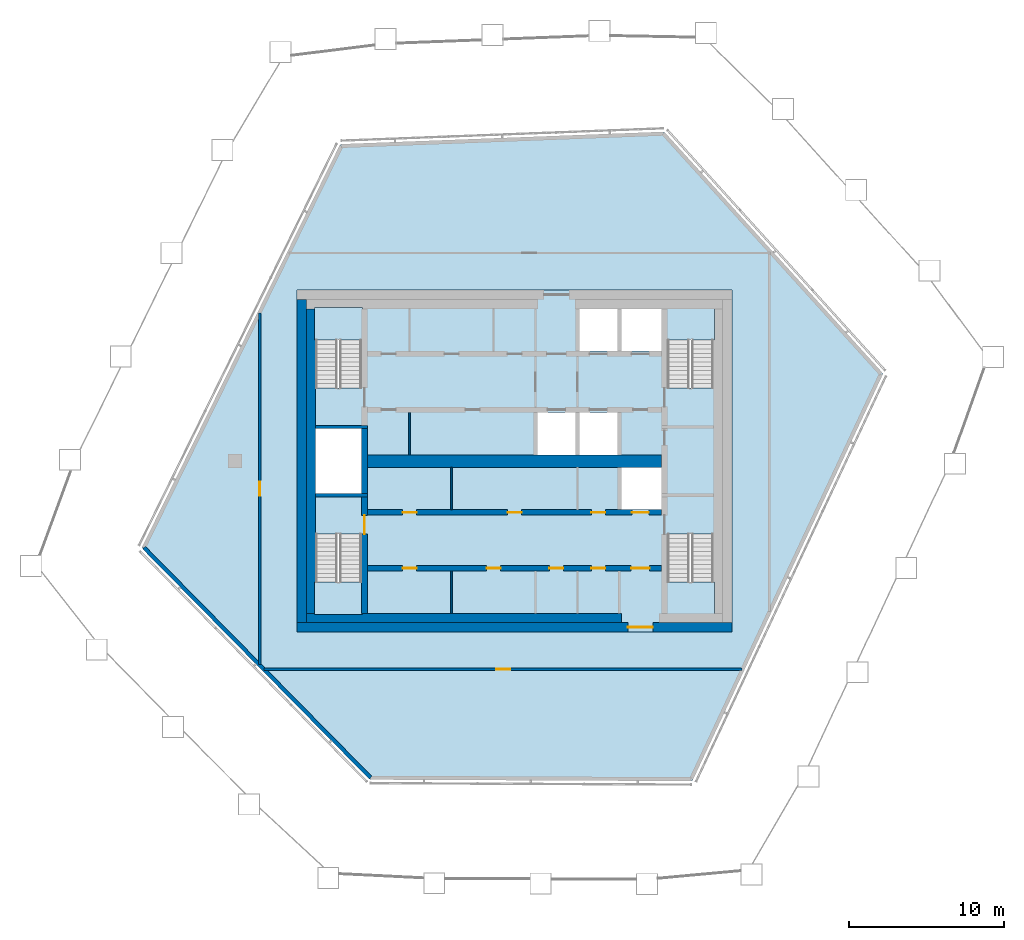
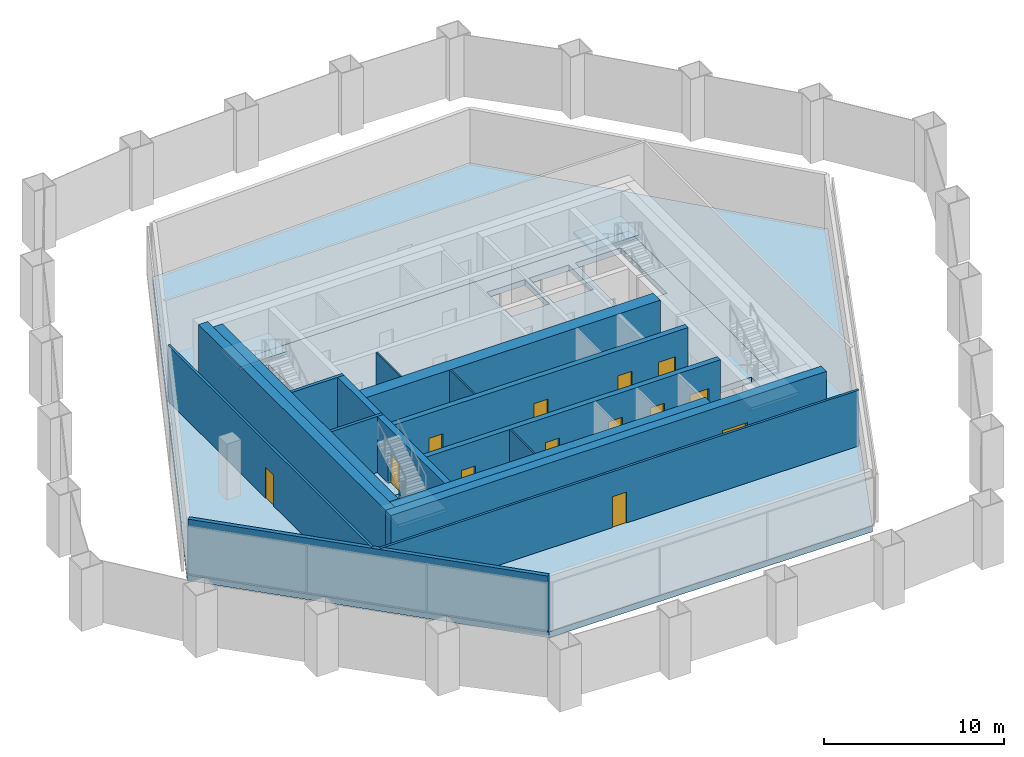
# One storey, part 7 of 18: 17 walls, 13 doors, 6 slabs, 13 openings, 4 elements without a shape of their own.
"""IFC4 building model written with IfcOpenShell, lengths in metres."""

from ifc_helpers import new_model, si_unit, direction, frame, frame_2d, origin, place, context, subcontext, project, spatial, polyline, rectangle, outline, extrude, material, layer, layer_set, type_object, element, fill, aggregate, save


model = new_model("IFC4")

# Units and contexts
model_context = context("Model", 3, precision=1e-05, world=origin(), true_north=direction((0.0, 1.0)))
body_context = subcontext(model_context, "Body", "Model", "MODEL_VIEW")
ifc_project = project(units=[si_unit("LENGTHUNIT", "METRE"), si_unit("AREAUNIT", "SQUARE_METRE"), si_unit("VOLUMEUNIT", "CUBIC_METRE"), si_unit("PLANEANGLEUNIT", "RADIAN"), si_unit("MASSUNIT", "GRAM", prefix="KILO")], contexts=[model_context])

# Site, building, storey
site_placement = place(None, origin())
site = spatial("IfcSite", under=ifc_project, at=site_placement, CompositionType="ELEMENT")
building_placement = place(site_placement, origin())
building = spatial("IfcBuilding", under=site, at=building_placement, Name="Dongbaek Canopy Tower", CompositionType="ELEMENT")
storey_placement = place(building_placement, frame((0.0, 0.0, 363.199951171875)))
storey = spatial("IfcBuildingStorey", under=building, at=storey_placement, Name="L78", CompositionType="ELEMENT", Elevation=363.199951171875)

# Slab
ifc_material_1 = material(Name="Concrete C40/50", Category="concrete")
ifc_layer_1 = layer(ifc_material_1, 0.39990234375)
ifc_layer_set_1 = layer_set([ifc_layer_1], Name="Core floor slab 400 Concrete C40/50")
slab_type_1 = type_object("IfcSlabType", Name="Core floor slab 400 Concrete C40/50", PredefinedType="FLOOR", material=ifc_layer_set_1)
slab_1_placement = place(storey_placement, frame((0.0, 0.0, -0.39990234375)))
element("IfcSlab", 1, at=slab_1_placement, inside=storey, type_object=slab_type_1, Name="Core floor slab L78", PredefinedType="FLOOR", context=body_context, shape_type="SweptSolid", body=[
    extrude(outline(polyline([(14.0, -11.0), (14.0, 11.0), (-14.0, 11.0), (-14.0, -11.0), (14.0, -11.0)]), holes=[polyline([(-12.800048828125, 2.10009765625), (-9.85009765625, 2.10009765625), (-9.85009765625, -2.10009765625), (-12.800048828125, -2.10009765625), (-12.800048828125, 2.10009765625)]), polyline([(6.625, 9.800048828125), (6.625, 7.074951171875), (4.175048828125, 7.074951171875), (4.175048828125, 9.800048828125), (6.625, 9.800048828125)]), polyline([(9.449951171875, 7.074951171875), (6.875, 7.074951171875), (6.875, 9.800048828125), (9.449951171875, 9.800048828125), (9.449951171875, 7.074951171875)]), polyline([(1.47509765625, 0.39990234375), (1.47509765625, 3.125), (3.925048828125, 3.125), (3.925048828125, 0.39990234375), (1.47509765625, 0.39990234375)]), polyline([(4.175048828125, 0.39990234375), (4.175048828125, 3.125), (6.625, 3.125), (6.625, 0.39990234375), (4.175048828125, 0.39990234375)]), polyline([(9.449951171875, -3.125), (6.875, -3.125), (6.875, -0.39990234375), (9.449951171875, -0.39990234375), (9.449951171875, -3.125)]), polyline([(12.800048828125, 4.70068359375), (12.800048828125, 9.800048828125), (9.85009765625, 9.800048828125), (9.85009765625, 4.70068359375), (12.800048828125, 4.70068359375)]), polyline([(-9.85009765625, 4.70068359375), (-9.85009765625, 9.800048828125), (-12.800048828125, 9.800048828125), (-12.800048828125, 4.70068359375), (-9.85009765625, 4.70068359375)]), polyline([(9.85009765625, -4.70068359375), (9.85009765625, -9.800048828125), (12.800048828125, -9.800048828125), (12.800048828125, -4.70068359375), (9.85009765625, -4.70068359375)]), polyline([(-12.800048828125, -4.70068359375), (-12.800048828125, -9.800048828125), (-9.85009765625, -9.800048828125), (-9.85009765625, -4.70068359375), (-12.800048828125, -4.70068359375)])]), origin(), (0.0, 0.0, 1.0), 0.39990234375),
])

# Stair, slab
ifc_material_2 = material(Name="Concrete C40/50", Category="concrete")
stair_type = type_object("IfcStairType", Name="Core exit stair", PredefinedType="HALF_TURN_STAIR", material=ifc_material_2)
stair_1_placement = place(storey_placement, origin())
stair_1 = element("IfcStair", 2, at=stair_1_placement, inside=storey, type_object=stair_type, Name="L78 exit stair A", PredefinedType="HALF_TURN_STAIR")
ifc_material_3 = material(Name="Concrete C40/50", Category="concrete")
ifc_layer_2 = layer(ifc_material_3, 0.199951171875)
ifc_layer_set_2 = layer_set([ifc_layer_2], Name="Core stair landing 200")
slab_type_2 = type_object("IfcSlabType", Name="Core stair landing 200", PredefinedType="LANDING", material=ifc_layer_set_2)
slab_2_placement = place(storey_placement, frame((0.0, 0.0, 1.900146484375)))
slab_2 = element("IfcSlab", 3, at=slab_2_placement, type_object=slab_type_2, Name="ST-A landing 1", PredefinedType="LANDING", context=body_context, shape_type="SweptSolid", body=[
    extrude(outline(polyline([(12.875, 7.780029296875), (12.875, 9.875), (9.77490234375, 9.875), (9.77490234375, 7.780029296875), (12.875, 7.780029296875)])), origin(), (0.0, 0.0, 1.0), 0.199951171875),
])
aggregate(stair_1, [slab_2])

stair_2_placement = place(storey_placement, origin())
stair_2 = element("IfcStair", 4, at=stair_2_placement, inside=storey, type_object=stair_type, Name="L78 exit stair C", PredefinedType="HALF_TURN_STAIR")
slab_3_placement = place(storey_placement, frame((0.0, 0.0, 1.900146484375)))
slab_3 = element("IfcSlab", 5, at=slab_3_placement, type_object=slab_type_2, Name="ST-C landing 1", PredefinedType="LANDING", context=body_context, shape_type="SweptSolid", body=[
    extrude(outline(polyline([(-9.77490234375, 7.780029296875), (-9.77490234375, 9.875), (-12.875, 9.875), (-12.875, 7.780029296875), (-9.77490234375, 7.780029296875)])), origin(), (0.0, 0.0, 1.0), 0.199951171875),
])
aggregate(stair_2, [slab_3])

stair_3_placement = place(storey_placement, origin())
stair_3 = element("IfcStair", 6, at=stair_3_placement, inside=storey, type_object=stair_type, Name="L78 exit stair B", PredefinedType="HALF_TURN_STAIR")
slab_4_placement = place(storey_placement, frame((0.0, 0.0, 1.900146484375)))
slab_4 = element("IfcSlab", 7, at=slab_4_placement, type_object=slab_type_2, Name="ST-B landing 1", PredefinedType="LANDING", context=body_context, shape_type="SweptSolid", body=[
    extrude(outline(polyline([(9.77490234375, -7.780029296875), (9.77490234375, -9.875), (12.875, -9.875), (12.875, -7.780029296875), (9.77490234375, -7.780029296875)])), origin(), (0.0, 0.0, 1.0), 0.199951171875),
])
aggregate(stair_3, [slab_4])

stair_4_placement = place(storey_placement, origin())
stair_4 = element("IfcStair", 8, at=stair_4_placement, inside=storey, type_object=stair_type, Name="L78 exit stair D", PredefinedType="HALF_TURN_STAIR")
slab_5_placement = place(storey_placement, frame((0.0, 0.0, 1.900146484375)))
slab_5 = element("IfcSlab", 9, at=slab_5_placement, type_object=slab_type_2, Name="ST-D landing 1", PredefinedType="LANDING", context=body_context, shape_type="SweptSolid", body=[
    extrude(outline(polyline([(-12.875, -7.780029296875), (-12.875, -9.875), (-9.77490234375, -9.875), (-9.77490234375, -7.780029296875), (-12.875, -7.780029296875)])), origin(), (0.0, 0.0, 1.0), 0.199951171875),
])
aggregate(stair_4, [slab_5])

# Slab
ifc_material_4 = material(Name="Concrete C40", Category="concrete")
ifc_layer_3 = layer(ifc_material_4, 0.39990234375)
ifc_layer_set_3 = layer_set([ifc_layer_3], Name="RC FLAT PLATE 400 Concrete C40")
slab_type_3 = type_object("IfcSlabType", Name="RC FLAT PLATE 400 Concrete C40", PredefinedType="FLOOR", material=ifc_layer_set_3)
slab_6_placement = place(storey_placement, frame((0.0, 0.0, -0.39990234375)))
element("IfcSlab", 10, at=slab_6_placement, inside=storey, type_object=slab_type_3, Name="SLAB:L78", PredefinedType="FLOOR", context=body_context, shape_type="SweptSolid", body=[
    extrude(outline(polyline([(-23.972412109375, -5.587646484375), (-11.201904296875, 20.37744140625), (9.6259765625, 21.17431640625), (23.701416015625, 5.631591796875), (11.430908203125, -20.569091796875), (-9.307861328125, -20.4765625), (-23.972412109375, -5.587646484375)]), holes=[polyline([(14.0, 11.0), (-14.0, 11.0), (-14.0, -11.0), (14.0, -11.0), (14.0, 11.0)])]), origin(), (0.0, 0.0, 1.0), 0.39990234375),
])

# Wall
ifc_material_5 = material(Name="Concrete C60/75", Category="concrete")
ifc_layer_4 = layer(ifc_material_5, 0.800048828125)
ifc_layer_set_4 = layer_set([ifc_layer_4], Name="Core central wall 800 Concrete C60/75")
wall_type_1 = type_object("IfcWallType", Name="Core central wall 800 Concrete C60/75", PredefinedType="SHEAR", material=ifc_layer_set_4)
wall_1_placement = place(storey_placement, frame((-9.449951171875, 0.0, 0.0), z_axis=(0.0, 0.0, 1.0), x_axis=(1.0, 0.0, 0.0)))
element("IfcWall", 11, at=wall_1_placement, inside=storey, type_object=wall_type_1, Name="Core wall", PredefinedType="SHEAR", context=body_context, shape_type="SweptSolid", body=[
    extrude(rectangle(XDim=18.89990234375, YDim=0.800048828125, at=frame_2d((9.449951171875, 0.0))), origin(), (0.0, 0.0, 1.0), 3.800048828125),
])

# Wall, openings, doors
ifc_material_6 = material(Name="Concrete C60/75", Category="concrete")
ifc_layer_5 = layer(ifc_material_6, 0.35009765625)
ifc_layer_set_5 = layer_set([ifc_layer_5], Name="Core lobby wall 350 Concrete C60/75")
wall_type_2 = type_object("IfcWallType", Name="Core lobby wall 350 Concrete C60/75", PredefinedType="SHEAR", material=ifc_layer_set_5)
wall_2_placement = place(storey_placement, frame((-9.449951171875, -3.300048828125, 0.0), z_axis=(0.0, 0.0, 1.0), x_axis=(1.0, 0.0, 0.0)))
wall_2 = element("IfcWall", 12, at=wall_2_placement, inside=storey, type_object=wall_type_2, Name="Core wall", PredefinedType="SHEAR", context=body_context, shape_type="SweptSolid", body=[
    extrude(rectangle(XDim=18.89990234375, YDim=0.35009765625, at=frame_2d((9.449951171875, 0.0))), origin(), (0.0, 0.0, 1.0), 3.800048828125),
])
opening_1_placement = place(wall_2_placement, frame((17.0, 0.0, 0.0)))
opening_1 = element("IfcOpeningElement", 13, at=opening_1_placement, cuts=wall_2, Name="Opening L78-D012", PredefinedType="OPENING", context=body_context, shape_type="SweptSolid", body=[
    extrude(rectangle(XDim=1.10009765625, YDim=2.10009765625, at=frame_2d((0.550048828125, 1.050048828125))), frame((0.0, 0.18505859375, 0.0), z_axis=(0.0, -1.0, 0.0), x_axis=(1.0, 0.0, 0.0)), (0.0, 0.0, 1.0), 0.3701171875),
])
opening_2_placement = place(wall_2_placement, frame((2.25, 0.0, 0.0)))
opening_2 = element("IfcOpeningElement", 14, at=opening_2_placement, cuts=wall_2, Name="Opening L78-D020", PredefinedType="OPENING", context=body_context, shape_type="SweptSolid", body=[
    extrude(rectangle(XDim=0.89990234375, YDim=2.10009765625, at=frame_2d((0.449951171875, 1.050048828125))), frame((0.0, 0.18505859375, 0.0), z_axis=(0.0, -1.0, 0.0), x_axis=(1.0, 0.0, 0.0)), (0.0, 0.0, 1.0), 0.3701171875),
])
opening_3_placement = place(wall_2_placement, frame((9.0, 0.0, 0.0)))
opening_3 = element("IfcOpeningElement", 15, at=opening_3_placement, cuts=wall_2, Name="Opening L78-D021", PredefinedType="OPENING", context=body_context, shape_type="SweptSolid", body=[
    extrude(rectangle(XDim=0.89990234375, YDim=2.10009765625, at=frame_2d((0.449951171875, 1.050048828125))), frame((0.0, 0.18505859375, 0.0), z_axis=(0.0, -1.0, 0.0), x_axis=(1.0, 0.0, 0.0)), (0.0, 0.0, 1.0), 0.3701171875),
])
opening_4_placement = place(wall_2_placement, frame((14.39990234375, 0.0, 0.0)))
opening_4 = element("IfcOpeningElement", 16, at=opening_4_placement, cuts=wall_2, Name="Opening L78-D022", PredefinedType="OPENING", context=body_context, shape_type="SweptSolid", body=[
    extrude(rectangle(XDim=0.89990234375, YDim=2.10009765625, at=frame_2d((0.449951171875, 1.050048828125))), frame((0.0, 0.18505859375, 0.0), z_axis=(0.0, -1.0, 0.0), x_axis=(1.0, 0.0, 0.0)), (0.0, 0.0, 1.0), 0.3701171875),
])
ifc_material_7 = material(Name="Steel", Category="steel")
door_type_1 = type_object("IfcDoorType", Name="Core room door 900 x 2100", OperationType="SINGLE_SWING_LEFT", PredefinedType="DOOR", material=ifc_material_7)
door_1_placement = place(opening_2_placement, origin())
door_1 = element("IfcDoor", 17, at=door_1_placement, inside=storey, type_object=door_type_1, Name="Door L78-D020", OperationType="SINGLE_SWING_LEFT", OverallHeight=2.10009765625, OverallWidth=0.89990234375, PredefinedType="DOOR", context=body_context, shape_type="SweptSolid", body=[
    extrude(rectangle(XDim=0.89990234375, YDim=2.10009765625, at=frame_2d((0.449951171875, 1.050048828125))), frame((0.0, 0.02490234375, 0.0), z_axis=(0.0, -1.0, 0.0), x_axis=(1.0, 0.0, 0.0)), (0.0, 0.0, 1.0), 0.050048828125),
])
fill(opening_2, door_1)
door_2_placement = place(opening_3_placement, origin())
door_2 = element("IfcDoor", 18, at=door_2_placement, inside=storey, type_object=door_type_1, Name="Door L78-D021", OperationType="SINGLE_SWING_RIGHT", OverallHeight=2.10009765625, OverallWidth=0.89990234375, PredefinedType="DOOR", context=body_context, shape_type="SweptSolid", body=[
    extrude(rectangle(XDim=0.89990234375, YDim=2.10009765625, at=frame_2d((0.449951171875, 1.050048828125))), frame((0.0, 0.02490234375, 0.0), z_axis=(0.0, -1.0, 0.0), x_axis=(1.0, 0.0, 0.0)), (0.0, 0.0, 1.0), 0.050048828125),
])
fill(opening_3, door_2)
door_3_placement = place(opening_4_placement, origin())
door_3 = element("IfcDoor", 19, at=door_3_placement, inside=storey, type_object=door_type_1, Name="Door L78-D022", OperationType="SINGLE_SWING_LEFT", OverallHeight=2.10009765625, OverallWidth=0.89990234375, PredefinedType="DOOR", context=body_context, shape_type="SweptSolid", body=[
    extrude(rectangle(XDim=0.89990234375, YDim=2.10009765625, at=frame_2d((0.449951171875, 1.050048828125))), frame((0.0, 0.02490234375, 0.0), z_axis=(0.0, -1.0, 0.0), x_axis=(1.0, 0.0, 0.0)), (0.0, 0.0, 1.0), 0.050048828125),
])
fill(opening_4, door_3)
ifc_material_8 = material(Name="Stainless steel", Category="steel")
door_type_2 = type_object("IfcDoorType", Name="Lift landing door 1100 x 2100", OperationType="DOUBLE_DOOR_SLIDING", PredefinedType="DOOR", material=ifc_material_8)
door_4_placement = place(opening_1_placement, origin())
door_4 = element("IfcDoor", 20, at=door_4_placement, inside=storey, type_object=door_type_2, Name="Landing door SV2", OperationType="DOUBLE_DOOR_SLIDING", OverallHeight=2.10009765625, OverallWidth=1.10009765625, PredefinedType="DOOR", context=body_context, shape_type="SweptSolid", body=[
    extrude(rectangle(XDim=1.10009765625, YDim=2.10009765625, at=frame_2d((0.550048828125, 1.050048828125))), frame((0.0, 0.02490234375, 0.0), z_axis=(0.0, -1.0, 0.0), x_axis=(1.0, 0.0, 0.0)), (0.0, 0.0, 1.0), 0.050048828125),
])
fill(opening_1, door_4)

wall_3_placement = place(storey_placement, frame((9.449951171875, -6.89990234375, 0.0), z_axis=(0.0, 0.0, 1.0), x_axis=(-1.0, 0.0, 0.0)))
wall_3 = element("IfcWall", 21, at=wall_3_placement, inside=storey, type_object=wall_type_2, Name="Core wall", PredefinedType="SHEAR", context=body_context, shape_type="SweptSolid", body=[
    extrude(rectangle(XDim=18.89990234375, YDim=0.35009765625, at=frame_2d((9.449951171875, 0.0))), origin(), (0.0, 0.0, 1.0), 3.800048828125),
])
opening_5_placement = place(wall_3_placement, frame((0.75, 0.0, 0.0)))
opening_5 = element("IfcOpeningElement", 22, at=opening_5_placement, cuts=wall_3, Name="Opening L78-D014", PredefinedType="OPENING", context=body_context, shape_type="SweptSolid", body=[
    extrude(rectangle(XDim=1.199951171875, YDim=2.10009765625, at=frame_2d((0.60009765625, 1.050048828125))), frame((0.0, 0.18505859375, 0.0), z_axis=(0.0, -1.0, 0.0), x_axis=(1.0, 0.0, 0.0)), (0.0, 0.0, 1.0), 0.3701171875),
])
opening_6_placement = place(wall_3_placement, frame((15.75, 0.0, 0.0)))
opening_6 = element("IfcOpeningElement", 23, at=opening_6_placement, cuts=wall_3, Name="Opening L78-D023", PredefinedType="OPENING", context=body_context, shape_type="SweptSolid", body=[
    extrude(rectangle(XDim=0.89990234375, YDim=2.10009765625, at=frame_2d((0.449951171875, 1.050048828125))), frame((0.0, 0.18505859375, 0.0), z_axis=(0.0, -1.0, 0.0), x_axis=(1.0, 0.0, 0.0)), (0.0, 0.0, 1.0), 0.3701171875),
])
opening_7_placement = place(wall_3_placement, frame((10.35009765625, 0.0, 0.0)))
opening_7 = element("IfcOpeningElement", 24, at=opening_7_placement, cuts=wall_3, Name="Opening L78-D024", PredefinedType="OPENING", context=body_context, shape_type="SweptSolid", body=[
    extrude(rectangle(XDim=0.89990234375, YDim=2.10009765625, at=frame_2d((0.449951171875, 1.050048828125))), frame((0.0, 0.18505859375, 0.0), z_axis=(0.0, -1.0, 0.0), x_axis=(1.0, 0.0, 0.0)), (0.0, 0.0, 1.0), 0.3701171875),
])
opening_8_placement = place(wall_3_placement, frame((6.300048828125, 0.0, 0.0)))
opening_8 = element("IfcOpeningElement", 25, at=opening_8_placement, cuts=wall_3, Name="Opening L78-D025", PredefinedType="OPENING", context=body_context, shape_type="SweptSolid", body=[
    extrude(rectangle(XDim=0.89990234375, YDim=2.10009765625, at=frame_2d((0.449951171875, 1.050048828125))), frame((0.0, 0.18505859375, 0.0), z_axis=(0.0, -1.0, 0.0), x_axis=(1.0, 0.0, 0.0)), (0.0, 0.0, 1.0), 0.3701171875),
])
opening_9_placement = place(wall_3_placement, frame((3.60009765625, 0.0, 0.0)))
opening_9 = element("IfcOpeningElement", 26, at=opening_9_placement, cuts=wall_3, Name="Opening L78-D026", PredefinedType="OPENING", context=body_context, shape_type="SweptSolid", body=[
    extrude(rectangle(XDim=0.89990234375, YDim=2.10009765625, at=frame_2d((0.449951171875, 1.050048828125))), frame((0.0, 0.18505859375, 0.0), z_axis=(0.0, -1.0, 0.0), x_axis=(1.0, 0.0, 0.0)), (0.0, 0.0, 1.0), 0.3701171875),
])
door_5_placement = place(opening_6_placement, origin())
door_5 = element("IfcDoor", 27, at=door_5_placement, inside=storey, type_object=door_type_1, Name="Door L78-D023", OperationType="SINGLE_SWING_RIGHT", OverallHeight=2.10009765625, OverallWidth=0.89990234375, PredefinedType="DOOR", context=body_context, shape_type="SweptSolid", body=[
    extrude(rectangle(XDim=0.89990234375, YDim=2.10009765625, at=frame_2d((0.449951171875, 1.050048828125))), frame((0.0, 0.02490234375, 0.0), z_axis=(0.0, -1.0, 0.0), x_axis=(1.0, 0.0, 0.0)), (0.0, 0.0, 1.0), 0.050048828125),
])
fill(opening_6, door_5)
door_6_placement = place(opening_7_placement, origin())
door_6 = element("IfcDoor", 28, at=door_6_placement, inside=storey, type_object=door_type_1, Name="Door L78-D024", OperationType="SINGLE_SWING_LEFT", OverallHeight=2.10009765625, OverallWidth=0.89990234375, PredefinedType="DOOR", context=body_context, shape_type="SweptSolid", body=[
    extrude(rectangle(XDim=0.89990234375, YDim=2.10009765625, at=frame_2d((0.449951171875, 1.050048828125))), frame((0.0, 0.02490234375, 0.0), z_axis=(0.0, -1.0, 0.0), x_axis=(1.0, 0.0, 0.0)), (0.0, 0.0, 1.0), 0.050048828125),
])
fill(opening_7, door_6)
door_7_placement = place(opening_8_placement, origin())
door_7 = element("IfcDoor", 29, at=door_7_placement, inside=storey, type_object=door_type_1, Name="Door L78-D025", OperationType="SINGLE_SWING_RIGHT", OverallHeight=2.10009765625, OverallWidth=0.89990234375, PredefinedType="DOOR", context=body_context, shape_type="SweptSolid", body=[
    extrude(rectangle(XDim=0.89990234375, YDim=2.10009765625, at=frame_2d((0.449951171875, 1.050048828125))), frame((0.0, 0.02490234375, 0.0), z_axis=(0.0, -1.0, 0.0), x_axis=(1.0, 0.0, 0.0)), (0.0, 0.0, 1.0), 0.050048828125),
])
fill(opening_8, door_7)
door_8_placement = place(opening_9_placement, origin())
door_8 = element("IfcDoor", 30, at=door_8_placement, inside=storey, type_object=door_type_1, Name="Door L78-D026", OperationType="SINGLE_SWING_LEFT", OverallHeight=2.10009765625, OverallWidth=0.89990234375, PredefinedType="DOOR", context=body_context, shape_type="SweptSolid", body=[
    extrude(rectangle(XDim=0.89990234375, YDim=2.10009765625, at=frame_2d((0.449951171875, 1.050048828125))), frame((0.0, 0.02490234375, 0.0), z_axis=(0.0, -1.0, 0.0), x_axis=(1.0, 0.0, 0.0)), (0.0, 0.0, 1.0), 0.050048828125),
])
fill(opening_9, door_8)
ifc_material_9 = material(Name="Steel", Category="steel")
door_type_3 = type_object("IfcDoorType", Name="Fire lobby door 1200 x 2100", OperationType="SINGLE_SWING_LEFT", PredefinedType="DOOR", material=ifc_material_9)
door_9_placement = place(opening_5_placement, origin())
door_9 = element("IfcDoor", 31, at=door_9_placement, inside=storey, type_object=door_type_3, Name="Door L78-D014", OperationType="SINGLE_SWING_LEFT", OverallHeight=2.10009765625, OverallWidth=1.199951171875, PredefinedType="DOOR", context=body_context, shape_type="SweptSolid", body=[
    extrude(rectangle(XDim=1.199951171875, YDim=2.10009765625, at=frame_2d((0.60009765625, 1.050048828125))), frame((0.0, 0.02490234375, 0.0), z_axis=(0.0, -1.0, 0.0), x_axis=(1.0, 0.0, 0.0)), (0.0, 0.0, 1.0), 0.050048828125),
])
fill(opening_5, door_9)

# Wall, opening, door
ifc_material_10 = material(Name="Concrete C80/95", Category="concrete")
ifc_layer_6 = layer(ifc_material_10, 0.60009765625)
ifc_layer_set_6 = layer_set([ifc_layer_6], Name="Core outer wall 600 Concrete C80/95")
wall_type_3 = type_object("IfcWallType", Name="Core outer wall 600 Concrete C80/95", PredefinedType="SHEAR", material=ifc_layer_set_6)
wall_4_placement = place(storey_placement, frame((14.0, -10.699951171875, 0.0), z_axis=(0.0, 0.0, 1.0), x_axis=(-1.0, 0.0, 0.0)))
wall_4 = element("IfcWall", 32, at=wall_4_placement, inside=storey, type_object=wall_type_3, Name="Core wall", PredefinedType="SHEAR", context=body_context, shape_type="SweptSolid", body=[
    extrude(rectangle(XDim=28.0, YDim=0.60009765625, at=frame_2d((14.0, 0.0))), origin(), (0.0, 0.0, 1.0), 3.800048828125),
])
opening_10_placement = place(wall_4_placement, frame((5.10009765625, 0.0, 0.0)))
opening_10 = element("IfcOpeningElement", 33, at=opening_10_placement, cuts=wall_4, Name="Opening L78-D013", PredefinedType="OPENING", context=body_context, shape_type="SweptSolid", body=[
    extrude(rectangle(XDim=1.60009765625, YDim=2.10009765625, at=frame_2d((0.800048828125, 1.050048828125))), frame((0.0, 0.31005859375, 0.0), z_axis=(0.0, -1.0, 0.0), x_axis=(1.0, 0.0, 0.0)), (0.0, 0.0, 1.0), 0.6201171875),
])
ifc_material_11 = material(Name="Steel", Category="steel")
door_type_4 = type_object("IfcDoorType", Name="Core exit door 1600 x 2100", OperationType="DOUBLE_DOOR_SINGLE_SWING", PredefinedType="DOOR", material=ifc_material_11)
door_10_placement = place(opening_10_placement, origin())
door_10 = element("IfcDoor", 34, at=door_10_placement, inside=storey, type_object=door_type_4, Name="Core exit door", OperationType="DOUBLE_DOOR_SINGLE_SWING", OverallHeight=2.10009765625, OverallWidth=1.60009765625, PredefinedType="DOOR", context=body_context, shape_type="SweptSolid", body=[
    extrude(rectangle(XDim=1.60009765625, YDim=2.10009765625, at=frame_2d((0.800048828125, 1.050048828125))), frame((0.0, 0.02490234375, 0.0), z_axis=(0.0, -1.0, 0.0), x_axis=(1.0, 0.0, 0.0)), (0.0, 0.0, 1.0), 0.050048828125),
])
fill(opening_10, door_10)

# Walls
wall_5_placement = place(storey_placement, frame((-13.699951171875, -10.39990234375, 0.0), z_axis=(0.0, 0.0, 1.0), x_axis=(0.0, 1.0, 0.0)))
element("IfcWall", 35, at=wall_5_placement, inside=storey, type_object=wall_type_3, Name="Core wall", PredefinedType="SHEAR", context=body_context, shape_type="SweptSolid", body=[
    extrude(rectangle(XDim=20.7998046875, YDim=0.60009765625, at=frame_2d((10.39990234375, 0.0))), origin(), (0.0, 0.0, 1.0), 3.800048828125),
])
ifc_material_12 = material(Name="Concrete C60/75", Category="concrete")
ifc_layer_7 = layer(ifc_material_12, 0.60009765625)
ifc_layer_set_7 = layer_set([ifc_layer_7], Name="Core wall lining 600 Concrete C60/75")
wall_type_4 = type_object("IfcWallType", Name="Core wall lining 600 Concrete C60/75", PredefinedType="SHEAR", material=ifc_layer_set_7)
wall_6_placement = place(storey_placement, frame((6.89990234375, -10.10009765625, 0.0), z_axis=(0.0, 0.0, 1.0), x_axis=(-1.0, 0.0, 0.0)))
element("IfcWall", 36, at=wall_6_placement, inside=storey, type_object=wall_type_4, Name="Core wall lining", PredefinedType="SHEAR", context=body_context, shape_type="SweptSolid", body=[
    extrude(rectangle(XDim=20.2998046875, YDim=0.60009765625, at=frame_2d((10.14990234375, 0.0))), origin(), (0.0, 0.0, 1.0), 3.800048828125),
])
wall_7_placement = place(storey_placement, frame((-13.10009765625, -9.800048828125, 0.0), z_axis=(0.0, 0.0, 1.0), x_axis=(0.0, 1.0, 0.0)))
element("IfcWall", 37, at=wall_7_placement, inside=storey, type_object=wall_type_4, Name="Core wall lining", PredefinedType="SHEAR", context=body_context, shape_type="SweptSolid", body=[
    extrude(rectangle(XDim=19.60009765625, YDim=0.60009765625, at=frame_2d((9.800048828125, 0.0))), origin(), (0.0, 0.0, 1.0), 3.800048828125),
])

# Wall, opening, door
ifc_material_13 = material(Name="Gypsum board partition, steel stud, 2 x 15 mm fire board", Category="steel")
ifc_layer_8 = layer(ifc_material_13, 0.14990234375)
ifc_layer_set_8 = layer_set([ifc_layer_8], Name="Fire-rated partition 150 gypsum board")
wall_type_5 = type_object("IfcWallType", Name="Fire-rated partition 150 gypsum board", PredefinedType="PARTITIONING", material=ifc_layer_set_8)
wall_8_placement = place(storey_placement, frame((14.656005859375, -13.39990234375, 0.0), z_axis=(0.0, 0.0, 1.0), x_axis=(-1.0, 0.0, 0.0)))
wall_8 = element("IfcWall", 38, at=wall_8_placement, inside=storey, type_object=wall_type_5, Name="Corridor partition", PredefinedType="PARTITIONING", context=body_context, shape_type="SweptSolid", body=[
    extrude(rectangle(XDim=30.76513671875, YDim=0.14990234375, at=frame_2d((15.382568359375, 0.0))), origin(), (0.0, 0.0, 1.0), 3.800048828125),
])
opening_11_placement = place(wall_8_placement, frame((14.9326171875, 0.0, 0.0)))
opening_11 = element("IfcOpeningElement", 39, at=opening_11_placement, cuts=wall_8, Name="Opening L78-D002", PredefinedType="OPENING", context=body_context, shape_type="SweptSolid", body=[
    extrude(rectangle(XDim=0.89990234375, YDim=2.10009765625, at=frame_2d((0.449951171875, 1.050048828125))), frame((0.0, 0.0849609375, 0.0), z_axis=(0.0, -1.0, 0.0), x_axis=(1.0, 0.0, 0.0)), (0.0, 0.0, 1.0), 0.169921875),
])
ifc_material_14 = material(Name="Timber veneered door leaf", Category="wood")
door_type_5 = type_object("IfcDoorType", Name="Store door 900 x 2100", OperationType="SINGLE_SWING_LEFT", PredefinedType="DOOR", material=ifc_material_14)
door_11_placement = place(opening_11_placement, origin())
door_11 = element("IfcDoor", 40, at=door_11_placement, inside=storey, type_object=door_type_5, Name="Door L78-D002", OperationType="SINGLE_SWING_LEFT", OverallHeight=2.10009765625, OverallWidth=0.89990234375, PredefinedType="DOOR", context=body_context, shape_type="SweptSolid", body=[
    extrude(rectangle(XDim=0.89990234375, YDim=2.10009765625, at=frame_2d((0.449951171875, 1.050048828125))), frame((0.0, 0.02490234375, 0.0), z_axis=(0.0, -1.0, 0.0), x_axis=(1.0, 0.0, 0.0)), (0.0, 0.0, 1.0), 0.050048828125),
])
fill(opening_11, door_11)

wall_9_placement = place(storey_placement, frame((-16.39990234375, -13.104736328125, 0.0), z_axis=(0.0, 0.0, 1.0), x_axis=(0.0, 1.0, 0.0)))
wall_9 = element("IfcWall", 41, at=wall_9_placement, inside=storey, type_object=wall_type_5, Name="Corridor partition", PredefinedType="PARTITIONING", context=body_context, shape_type="SweptSolid", body=[
    extrude(rectangle(XDim=22.641357421875, YDim=0.14990234375, at=frame_2d((11.32080078125, 0.0))), origin(), (0.0, 0.0, 1.0), 3.800048828125),
])
opening_12_placement = place(wall_9_placement, frame((10.87060546875, 0.0, 0.0)))
opening_12 = element("IfcOpeningElement", 42, at=opening_12_placement, cuts=wall_9, Name="Opening L78-D001", PredefinedType="OPENING", context=body_context, shape_type="SweptSolid", body=[
    extrude(rectangle(XDim=0.89990234375, YDim=2.10009765625, at=frame_2d((0.449951171875, 1.050048828125))), frame((0.0, 0.0849609375, 0.0), z_axis=(0.0, -1.0, 0.0), x_axis=(1.0, 0.0, 0.0)), (0.0, 0.0, 1.0), 0.169921875),
])
door_12_placement = place(opening_12_placement, origin())
door_12 = element("IfcDoor", 43, at=door_12_placement, inside=storey, type_object=door_type_5, Name="Door L78-D001", OperationType="SINGLE_SWING_RIGHT", OverallHeight=2.10009765625, OverallWidth=0.89990234375, PredefinedType="DOOR", context=body_context, shape_type="SweptSolid", body=[
    extrude(rectangle(XDim=0.89990234375, YDim=2.10009765625, at=frame_2d((0.449951171875, 1.050048828125))), frame((0.0, 0.02490234375, 0.0), z_axis=(0.0, -1.0, 0.0), x_axis=(1.0, 0.0, 0.0)), (0.0, 0.0, 1.0), 0.050048828125),
])
fill(opening_12, door_12)

# Walls
ifc_material_15 = material(Name="Gypsum board partition, steel stud, 2 x 12.5 mm board", Category="steel")
ifc_layer_9 = layer(ifc_material_15, 0.10009765625)
ifc_layer_set_9 = layer_set([ifc_layer_9], Name="Partition 100 gypsum board")
wall_type_6 = type_object("IfcWallType", Name="Partition 100 gypsum board", PredefinedType="PARTITIONING", material=ifc_layer_set_9)
for number, where, z_axis, x_axis, name in (
    (44, (-4.050048828125, -9.800048828125, 0.0), (0.0, 0.0, 1.0), (0.0, 1.0, 0.0), "Core partition"),
    (45, (-4.050048828125, -3.125, 0.0), (0.0, 0.0, 1.0), (0.0, 1.0, 0.0), "Core partition"),
    (46, (-6.75, 0.39990234375, 0.0), (0.0, 0.0, 1.0), (0.0, 1.0, 0.0), "Core partition"),
):
    element("IfcWall", number, at=place(storey_placement, frame(where, z_axis=z_axis, x_axis=x_axis)), inside=storey, type_object=wall_type_6, Name=name, PredefinedType="PARTITIONING", context=body_context, shape_type="SweptSolid", body=[
        extrude(rectangle(XDim=2.72509765625, YDim=0.10009765625, at=frame_2d((1.362548828125, 0.0))), origin(), (0.0, 0.0, 1.0), 3.800048828125),
    ])
ifc_material_16 = material(Name="Pale metal cladding on insulated wall")
ifc_layer_10 = layer(ifc_material_16, 0.25)
ifc_layer_set_10 = layer_set([ifc_layer_10], Name="Plant floor wall 250")
wall_type_7 = type_object("IfcWallType", Name="Plant floor wall 250", PredefinedType="SOLIDWALL", material=ifc_layer_set_10)
wall_10_placement = place(storey_placement, frame((-23.851318359375, -5.568115234375, 0.0), z_axis=(0.0, 0.0, 1.0), x_axis=(0.701718568407, -0.712454244673, 0.0)))
element("IfcWall", 47, at=wall_10_placement, inside=storey, type_object=wall_type_7, Name="Plant wall L78 F5 1", PredefinedType="SOLIDWALL", context=body_context, shape_type="SweptSolid", body=[
    extrude(rectangle(XDim=20.785400390625, YDim=0.25, at=frame_2d((10.392578125, 0.0))), origin(), (0.0, 0.0, 1.0), 3.800048828125),
])
ifc_material_17 = material(Name="Concrete C60/75", Category="concrete")
ifc_layer_11 = layer(ifc_material_17, 0.199951171875)
ifc_layer_set_11 = layer_set([ifc_layer_11], Name="Riser wall 200 Concrete C60/75")
wall_type_8 = type_object("IfcWallType", Name="Riser wall 200 Concrete C60/75", PredefinedType="SHEAR", material=ifc_layer_set_11)
for number, where, z_axis, x_axis, name in (
    (48, (-9.449951171875, 2.199951171875, 0.0), (0.0, 0.0, 1.0), (-1.0, 0.0, 0.0), "Riser wall"),
    (49, (-9.449951171875, -2.199951171875, 0.0), (0.0, 0.0, 1.0), (-1.0, 0.0, 0.0), "Riser wall"),
):
    element("IfcWall", number, at=place(storey_placement, frame(where, z_axis=z_axis, x_axis=x_axis)), inside=storey, type_object=wall_type_8, Name=name, PredefinedType="SHEAR", context=body_context, shape_type="SweptSolid", body=[
        extrude(rectangle(XDim=3.35009765625, YDim=0.199951171875, at=frame_2d((1.675048828125, 0.0))), origin(), (0.0, 0.0, 1.0), 3.800048828125),
    ])

# Wall, opening, door
ifc_material_18 = material(Name="Concrete C60/75", Category="concrete")
ifc_layer_12 = layer(ifc_material_18, 0.39990234375)
ifc_layer_set_12 = layer_set([ifc_layer_12], Name="Stair wall 400 Concrete C60/75")
wall_type_9 = type_object("IfcWallType", Name="Stair wall 400 Concrete C60/75", PredefinedType="SHEAR", material=ifc_layer_set_12)
wall_11_placement = place(storey_placement, frame((-9.64990234375, -9.800048828125, 0.0), z_axis=(0.0, 0.0, 1.0), x_axis=(0.0, 1.0, 0.0)))
wall_11 = element("IfcWall", 50, at=wall_11_placement, inside=storey, type_object=wall_type_9, Name="Stair wall", PredefinedType="SHEAR", context=body_context, shape_type="SweptSolid", body=[
    extrude(rectangle(XDim=7.5, YDim=0.39990234375, at=frame_2d((3.75, 0.0))), origin(), (0.0, 0.0, 1.0), 3.800048828125),
])
opening_13_placement = place(wall_11_placement, frame((5.10009765625, 0.0, 0.0)))
opening_13 = element("IfcOpeningElement", 51, at=opening_13_placement, cuts=wall_11, Name="Opening L78-D030", PredefinedType="OPENING", context=body_context, shape_type="SweptSolid", body=[
    extrude(rectangle(XDim=1.199951171875, YDim=2.10009765625, at=frame_2d((0.60009765625, 1.050048828125))), frame((0.0, 0.2099609375, 0.0), z_axis=(0.0, -1.0, 0.0), x_axis=(1.0, 0.0, 0.0)), (0.0, 0.0, 1.0), 0.419921875),
])
ifc_material_19 = material(Name="Steel", Category="steel")
door_type_6 = type_object("IfcDoorType", Name="Stair door 1200 x 2100", OperationType="SINGLE_SWING_LEFT", PredefinedType="DOOR", material=ifc_material_19)
door_13_placement = place(opening_13_placement, origin())
door_13 = element("IfcDoor", 52, at=door_13_placement, inside=storey, type_object=door_type_6, Name="Stair D door", OperationType="SINGLE_SWING_LEFT", OverallHeight=2.10009765625, OverallWidth=1.199951171875, PredefinedType="DOOR", context=body_context, shape_type="SweptSolid", body=[
    extrude(rectangle(XDim=1.199951171875, YDim=2.10009765625, at=frame_2d((0.60009765625, 1.050048828125))), frame((0.0, 0.02490234375, 0.0), z_axis=(0.0, -1.0, 0.0), x_axis=(1.0, 0.0, 0.0)), (0.0, 0.0, 1.0), 0.050048828125),
])
fill(opening_13, door_13)

# Wall
wall_12_placement = place(storey_placement, frame((-9.64990234375, -2.10009765625, 0.0), z_axis=(0.0, 0.0, 1.0), x_axis=(0.0, 1.0, 0.0)))
element("IfcWall", 53, at=wall_12_placement, inside=storey, type_object=wall_type_9, Name="Stair wall", PredefinedType="SHEAR", context=body_context, shape_type="SweptSolid", body=[
    extrude(rectangle(XDim=4.2001953125, YDim=0.39990234375, at=frame_2d((2.10009765625, 0.0))), origin(), (0.0, 0.0, 1.0), 3.800048828125),
])

save(model, "model.ifc")
